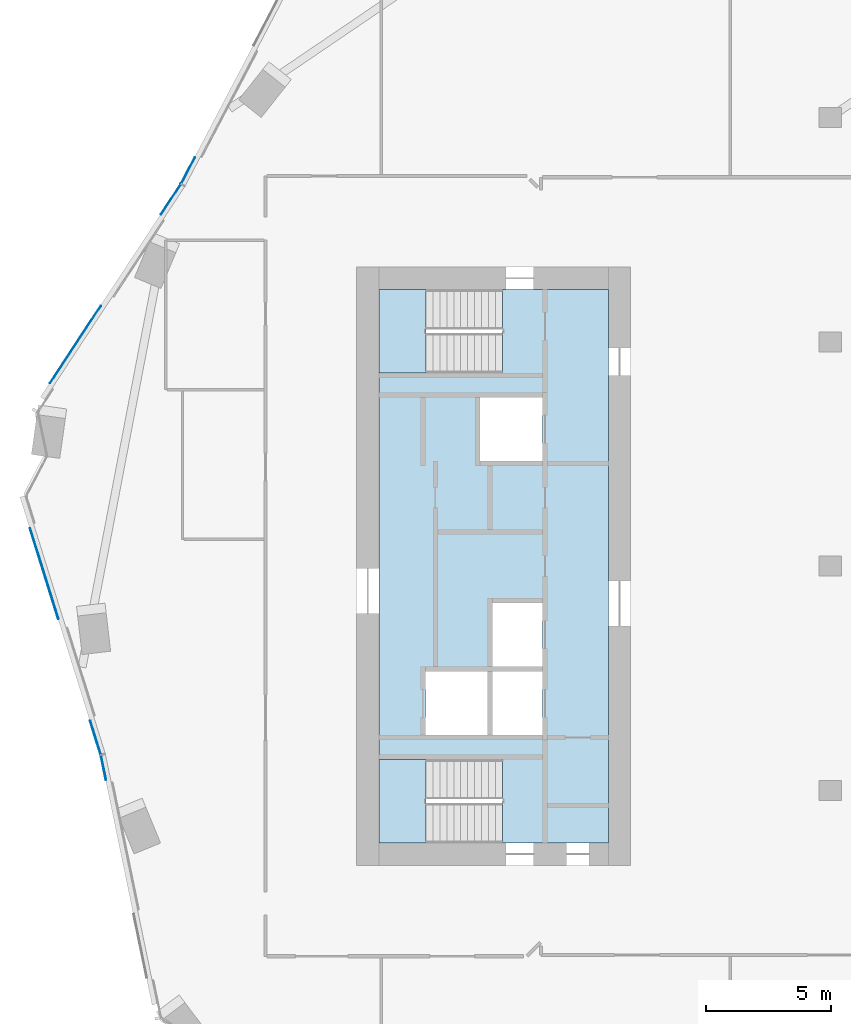
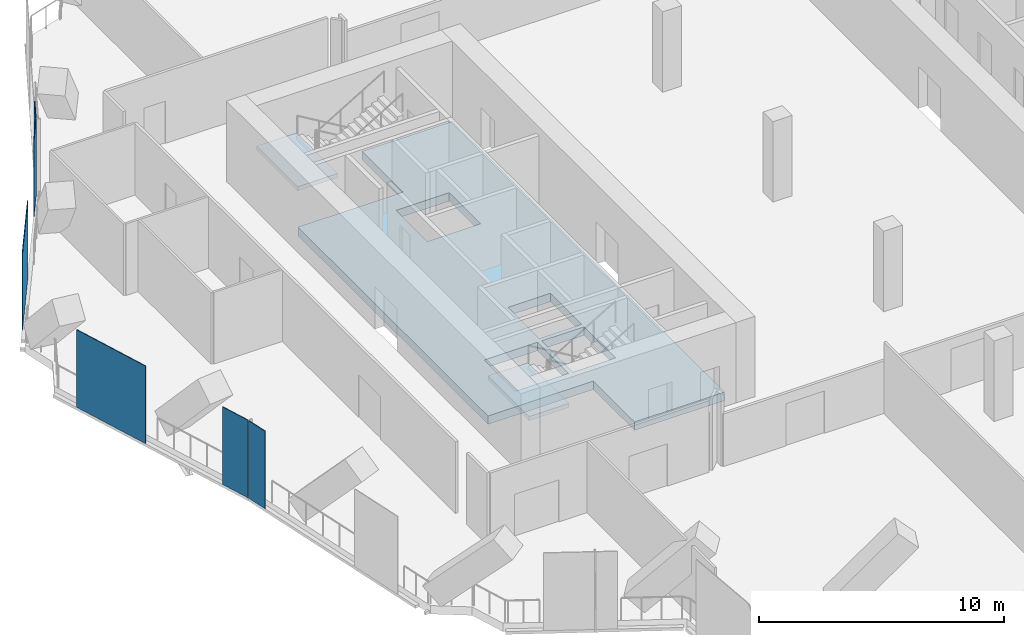
# One storey, part 15 of 26: 6 plates, 3 slabs, 6 elements without a shape of their own.
"""IFC4 building model written with IfcOpenShell, lengths in metres."""

from ifc_helpers import new_model, si_unit, direction, frame, origin, origin_2d, place, context, subcontext, project, spatial, polyline, rectangle, outline, extrude, material, layer, layer_set, type_object, element, aggregate, save


model = new_model("IFC4")

# Units and contexts
model_context = context("Model", 3, precision=1e-05, world=origin(), true_north=direction((0.0, 1.0)))
body_context = subcontext(model_context, "Body", "Model", "MODEL_VIEW")
ifc_project = project(units=[si_unit("LENGTHUNIT", "METRE"), si_unit("AREAUNIT", "SQUARE_METRE"), si_unit("VOLUMEUNIT", "CUBIC_METRE"), si_unit("PLANEANGLEUNIT", "RADIAN"), si_unit("MASSUNIT", "GRAM", prefix="KILO")], contexts=[model_context])

# Site, building, storey
site_placement = place(None, origin())
site = spatial("IfcSite", under=ifc_project, at=site_placement, CompositionType="ELEMENT")
building_placement = place(site_placement, origin())
building = spatial("IfcBuilding", under=site, at=building_placement, Name="Orlundy Tower", CompositionType="ELEMENT")
storey_placement = place(building_placement, frame((0.0, 0.0, 249.5)))
storey = spatial("IfcBuildingStorey", under=building, at=storey_placement, Name="L66", CompositionType="ELEMENT", Elevation=249.5)

# Curtain wall, plates
ifc_material_1 = material(Name="Aluminium bronze anodised", Category="aluminium")
curtain_wall_type = type_object("IfcCurtainWallType", Name="CW5 wall", PredefinedType="NOTDEFINED", material=ifc_material_1)
curtain_wall_1_placement = place(storey_placement, origin())
curtain_wall_1 = element("IfcCurtainWall", 1, at=curtain_wall_1_placement, inside=storey, type_object=curtain_wall_type, Name="CW5 run 03", PredefinedType="NOTDEFINED")
ifc_material_2 = material(Name="Tinted glass", Category="glass")
ifc_layer_1 = layer(ifc_material_2, 0.031982421875)
ifc_layer_set_1 = layer_set([ifc_layer_1], Name="CW5 glass panel 32")
plate_type_1 = type_object("IfcPlateType", Name="CW5 glass panel 32", PredefinedType="CURTAIN_PANEL", material=ifc_layer_set_1)
plate_1_placement = place(storey_placement, frame((-29.474609375, -6.8720703125, -0.2802734375), z_axis=(0.0, 0.0, 1.0), x_axis=(-0.297994007486, 0.954567740657, 0.0)))
plate_1 = element("IfcPlate", 2, at=plate_1_placement, type_object=plate_type_1, Name="CW5 panel", PredefinedType="CURTAIN_PANEL", context=body_context, shape_type="SweptSolid", body=[
    extrude(rectangle(XDim=1.408447265625, YDim=0.031982421875, at=origin_2d()), origin(), (0.0, 0.0, 1.0), 3.860107421875),
])
plate_2_placement = place(storey_placement, frame((-31.52734375, -0.296630859375, -0.2802734375), z_axis=(0.0, 0.0, 1.0), x_axis=(-0.297994007486, 0.954567740657, 0.0)))
plate_2 = element("IfcPlate", 3, at=plate_2_placement, type_object=plate_type_1, Name="CW5 panel", PredefinedType="CURTAIN_PANEL", context=body_context, shape_type="SweptSolid", body=[
    extrude(rectangle(XDim=3.81591796875, YDim=0.031982421875, at=origin_2d()), origin(), (0.0, 0.0, 1.0), 3.860107421875),
])
aggregate(curtain_wall_1, [plate_1, plate_2])

# Curtain wall, plate
curtain_wall_2_placement = place(storey_placement, origin())
curtain_wall_2 = element("IfcCurtainWall", 4, at=curtain_wall_2_placement, inside=storey, type_object=curtain_wall_type, Name="CW5 run 06", PredefinedType="NOTDEFINED")
plate_3_placement = place(storey_placement, frame((-30.27880859375, 8.891845703125, -0.2802734375), z_axis=(0.0, 0.0, 1.0), x_axis=(0.549542631011, 0.835465676555, 0.0)))
plate_3 = element("IfcPlate", 5, at=plate_3_placement, type_object=plate_type_1, Name="CW5 panel", PredefinedType="CURTAIN_PANEL", context=body_context, shape_type="SweptSolid", body=[
    extrude(rectangle(XDim=3.71826171875, YDim=0.031982421875, at=origin_2d()), origin(), (0.0, 0.0, 1.0), 3.860107421875),
])

curtain_wall_3_placement = place(storey_placement, origin())
curtain_wall_3 = element("IfcCurtainWall", 6, at=curtain_wall_3_placement, inside=storey, type_object=curtain_wall_type, Name="CW5 run 07", PredefinedType="NOTDEFINED")
plate_4_placement = place(storey_placement, frame((-25.754638671875, 15.88037109375, -0.2802734375), z_axis=(0.0, 0.0, 1.0), x_axis=(0.46431086872, 0.885672296726, 0.0)))
plate_4 = element("IfcPlate", 7, at=plate_4_placement, type_object=plate_type_1, Name="CW5 panel", PredefinedType="CURTAIN_PANEL", context=body_context, shape_type="SweptSolid", body=[
    extrude(rectangle(XDim=1.177978515625, YDim=0.031982421875, at=origin_2d()), origin(), (0.0, 0.0, 1.0), 3.860107421875),
])
aggregate(curtain_wall_3, [plate_4])

curtain_wall_4_placement = place(storey_placement, origin())
curtain_wall_4 = element("IfcCurtainWall", 8, at=curtain_wall_4_placement, inside=storey, type_object=curtain_wall_type, Name="CW5 run 02", PredefinedType="NOTDEFINED")
ifc_material_3 = material(Name="Tinted glass", Category="glass")
ifc_layer_2 = layer(ifc_material_3, 0.031982421875)
ifc_layer_set_2 = layer_set([ifc_layer_2], Name="CW5 vent panel 32")
plate_type_2 = type_object("IfcPlateType", Name="CW5 vent panel 32", PredefinedType="CURTAIN_PANEL", material=ifc_layer_set_2)
plate_5_placement = place(storey_placement, frame((-29.15087890625, -8.083984375, -0.2802734375), z_axis=(0.0, 0.0, 1.0), x_axis=(-0.202194510718, 0.979345383323, 0.0)))
plate_5 = element("IfcPlate", 9, at=plate_5_placement, type_object=plate_type_2, Name="CW5 panel", PredefinedType="CURTAIN_PANEL", context=body_context, shape_type="SweptSolid", body=[
    extrude(rectangle(XDim=1.003173828125, YDim=0.031982421875, at=origin_2d()), origin(), (0.0, 0.0, 1.0), 3.860107421875),
])
aggregate(curtain_wall_4, [plate_5])

# Plate
plate_6_placement = place(storey_placement, frame((-26.449951171875, 14.712646484375, -0.2802734375), z_axis=(0.0, 0.0, 1.0), x_axis=(0.549542631011, 0.835465676555, 0.0)))
plate_6 = element("IfcPlate", 10, at=plate_6_placement, type_object=plate_type_2, Name="CW5 panel", PredefinedType="CURTAIN_PANEL", context=body_context, shape_type="SweptSolid", body=[
    extrude(rectangle(XDim=1.443359375, YDim=0.031982421875, at=origin_2d()), origin(), (0.0, 0.0, 1.0), 3.860107421875),
])

aggregate(curtain_wall_2, [plate_3, plate_6])

# Slab
ifc_material_4 = material(Name="Concrete C50/60", Category="concrete")
ifc_layer_3 = layer(ifc_material_4, 0.419921875)
ifc_layer_set_3 = layer_set([ifc_layer_3], Name="Core Floor Slab 420")
slab_type_1 = type_object("IfcSlabType", Name="Core Floor Slab 420", PredefinedType="FLOOR", material=ifc_layer_set_3)
slab_1_placement = place(storey_placement, frame((0.0, 0.0, -0.419921875)))
element("IfcSlab", 11, at=slab_1_placement, inside=storey, type_object=slab_type_1, Name="Core floor W50", PredefinedType="FLOOR", context=body_context, shape_type="SweptSolid", body=[
    extrude(outline(polyline([(-18.10009765625, 7.75), (-13.14501953125, 7.75), (-13.14501953125, 11.10009765625), (-8.89990234375, 11.10009765625), (-8.89990234375, -11.10009765625), (-13.14501953125, -11.10009765625), (-13.14501953125, -7.75), (-18.10009765625, -7.75), (-18.10009765625, 7.75)]), holes=[polyline([(-13.5400390625, -4.22509765625), (-13.5400390625, -6.77490234375), (-11.5400390625, -6.77490234375), (-11.5400390625, -4.22509765625), (-13.5400390625, -4.22509765625)]), polyline([(-13.739990234375, -4.22509765625), (-16.239990234375, -4.22509765625), (-16.239990234375, -6.77490234375), (-13.739990234375, -6.77490234375), (-13.739990234375, -4.22509765625)]), polyline([(-11.5400390625, -4.02490234375), (-11.5400390625, -1.47509765625), (-13.5400390625, -1.47509765625), (-13.5400390625, -4.02490234375), (-11.5400390625, -4.02490234375)]), polyline([(-14.0400390625, 4.22509765625), (-11.5400390625, 4.22509765625), (-11.5400390625, 6.77490234375), (-14.0400390625, 6.77490234375), (-14.0400390625, 4.22509765625)])]), origin(), (0.0, 0.0, 1.0), 0.419921875),
])

# Stair, slab
ifc_material_5 = material(Name="Concrete C50/60", Category="concrete")
stair_type = type_object("IfcStairType", Name="Exit Stair 24 risers", PredefinedType="HALF_TURN_STAIR", material=ifc_material_5)
stair_1_placement = place(storey_placement, origin())
stair_1 = element("IfcStair", 12, at=stair_1_placement, inside=storey, type_object=stair_type, Name="L66 Exit Stair ST-W1", PredefinedType="HALF_TURN_STAIR")
ifc_material_6 = material(Name="Concrete C50/60", Category="concrete")
ifc_layer_4 = layer(ifc_material_6, 0.199951171875)
ifc_layer_set_4 = layer_set([ifc_layer_4], Name="Exit Stair Landing")
slab_type_2 = type_object("IfcSlabType", Name="Exit Stair Landing", PredefinedType="LANDING", material=ifc_layer_set_4)
slab_2_placement = place(storey_placement, frame((0.0, 0.0, 1.800048828125)))
slab_2 = element("IfcSlab", 13, at=slab_2_placement, type_object=slab_type_2, Name="ST-W1 landing 1", PredefinedType="LANDING", context=body_context, shape_type="SweptSolid", body=[
    extrude(outline(polyline([(-16.219970703125, 11.10009765625), (-18.10009765625, 11.10009765625), (-18.10009765625, 7.75), (-16.219970703125, 7.75), (-16.219970703125, 11.10009765625)])), origin(), (0.0, 0.0, 1.0), 0.199951171875),
])
aggregate(stair_1, [slab_2])

stair_2_placement = place(storey_placement, origin())
stair_2 = element("IfcStair", 14, at=stair_2_placement, inside=storey, type_object=stair_type, Name="L66 Exit Stair ST-W2", PredefinedType="HALF_TURN_STAIR")
slab_3_placement = place(storey_placement, frame((0.0, 0.0, 1.800048828125)))
slab_3 = element("IfcSlab", 15, at=slab_3_placement, type_object=slab_type_2, Name="ST-W2 landing 1", PredefinedType="LANDING", context=body_context, shape_type="SweptSolid", body=[
    extrude(outline(polyline([(-16.219970703125, -7.75), (-18.10009765625, -7.75), (-18.10009765625, -11.10009765625), (-16.219970703125, -11.10009765625), (-16.219970703125, -7.75)])), origin(), (0.0, 0.0, 1.0), 0.199951171875),
])
aggregate(stair_2, [slab_3])

save(model, "model.ifc")
